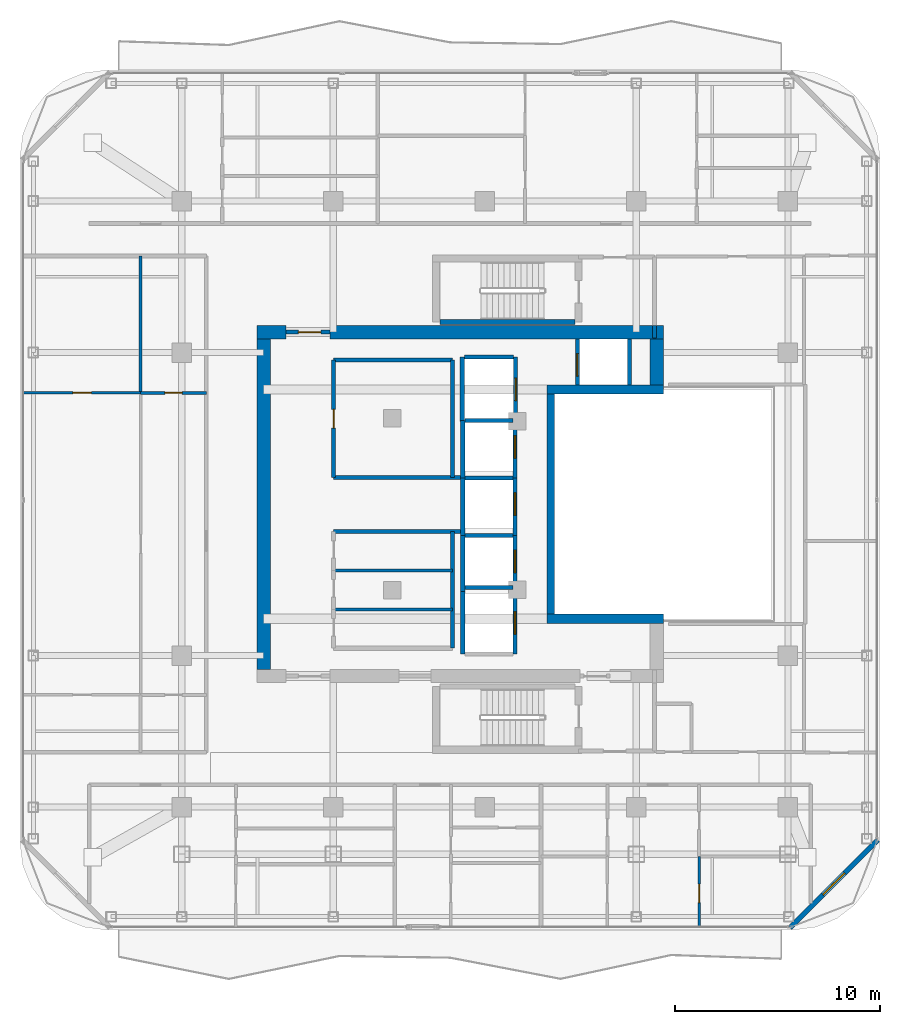
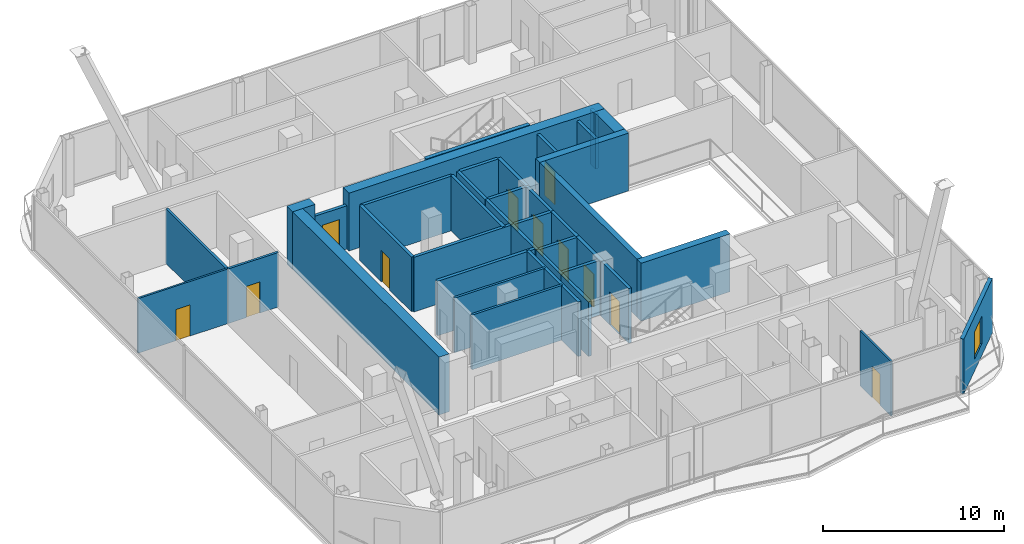
# One storey, part 19 of 24: 40 walls, 11 doors, 1 window, 12 openings.
"""IFC4 building model written with IfcOpenShell, lengths in metres."""

from ifc_helpers import new_model, si_unit, direction, frame, frame_2d, origin, place, context, subcontext, project, spatial, rectangle, extrude, material, layer, layer_set, type_object, element, fill, save


model = new_model("IFC4")

# Units and contexts
model_context = context("Model", 3, precision=1e-05, world=origin(), true_north=direction((0.0, 1.0)))
body_context = subcontext(model_context, "Body", "Model", "MODEL_VIEW")
ifc_project = project(units=[si_unit("LENGTHUNIT", "METRE"), si_unit("AREAUNIT", "SQUARE_METRE"), si_unit("VOLUMEUNIT", "CUBIC_METRE"), si_unit("PLANEANGLEUNIT", "RADIAN"), si_unit("MASSUNIT", "GRAM", prefix="KILO")], contexts=[model_context])

# Site, building, storey
site_placement = place(None, origin())
site = spatial("IfcSite", under=ifc_project, at=site_placement, CompositionType="ELEMENT")
building_placement = place(site_placement, origin())
building = spatial("IfcBuilding", under=site, at=building_placement, Name="Khorvyn Point Tower", CompositionType="ELEMENT")
storey_placement = place(building_placement, frame((0.0, 0.0, 301.5)))
storey = spatial("IfcBuildingStorey", under=building, at=storey_placement, Name="L74", CompositionType="ELEMENT", Elevation=301.5)

# Wall, opening, window
ifc_material_1 = material(Name="Pale anodised aluminium rainscreen on steel stud", Category="steel")
ifc_layer_1 = layer(ifc_material_1, 0.239990234375)
ifc_layer_set_1 = layer_set([ifc_layer_1], Name="Anodised Aluminium Insulated Corner Spandrel Wall 240")
wall_type_1 = type_object("IfcWallType", Name="Anodised Aluminium Insulated Corner Spandrel Wall 240", PredefinedType="SOLIDWALL", material=ifc_layer_set_1)
wall_1_placement = place(storey_placement, frame((19.1923828125, -16.40771484375, 0.0), z_axis=(0.0, 0.0, 1.0), x_axis=(-0.707106781187, -0.707106781187, 0.0)))
wall_1 = element("IfcWall", 1, at=wall_1_placement, inside=storey, type_object=wall_type_1, Name="L74 Rounded Corner Wall SE", PredefinedType="SOLIDWALL", context=body_context, shape_type="SweptSolid", body=[
    extrude(rectangle(XDim=6.059326171875, YDim=0.239990234375, at=frame_2d((3.02978515625, 0.0))), origin(), (0.0, 0.0, 1.0), 3.679931640625),
])
opening_1_placement = place(wall_1_placement, frame((2.27978515625, 0.0, 0.800048828125)))
opening_1 = element("IfcOpeningElement", 2, at=opening_1_placement, cuts=wall_1, Name="Opening WN-1518", PredefinedType="OPENING", context=body_context, shape_type="SweptSolid", body=[
    extrude(rectangle(XDim=1.5, YDim=1.85009765625, at=frame_2d((0.75, 0.925048828125))), frame((0.0, 0.1298828125, 0.0), z_axis=(0.0, -1.0, 0.0), x_axis=(1.0, 0.0, 0.0)), (0.0, 0.0, 1.0), 0.260009765625),
])
ifc_material_2 = material(Name="Anodised aluminium 6063-T6 and laminated Low-E glass", Category="aluminium")
window_type = type_object("IfcWindowType", Name="Anodised Aluminium Rounded-Corner Panoramic Window 1500x1850", PartitioningType="SINGLE_PANEL", PredefinedType="WINDOW", material=ifc_material_2)
window_placement = place(opening_1_placement, origin())
window = element("IfcWindow", 3, at=window_placement, inside=storey, type_object=window_type, Name="L74 Corner Panoramic Window SE", OverallHeight=1.85009765625, OverallWidth=1.5, PartitioningType="SINGLE_PANEL", PredefinedType="WINDOW", context=body_context, shape_type="SweptSolid", body=[
    extrude(rectangle(XDim=1.5, YDim=1.85009765625, at=frame_2d((0.75, 0.925048828125))), frame((0.0, 0.030029296875, 0.0), z_axis=(0.0, -1.0, 0.0), x_axis=(1.0, 0.0, 0.0)), (0.0, 0.0, 1.0), 0.06005859375),
])
fill(opening_1, window)

# Walls
ifc_material_3 = material(Name="Concrete C40/50", Category="concrete")
ifc_layer_2 = layer(ifc_material_3, 0.449951171875)
ifc_layer_set_2 = layer_set([ifc_layer_2], Name="Concrete C40/50 Core Shear Wall 450")
wall_type_2 = type_object("IfcWallType", Name="Concrete C40/50 Core Shear Wall 450", PredefinedType="SHEAR", material=ifc_layer_set_2)
for number, where, z_axis, x_axis, name in (
    (4, (3.044921875, -5.60009765625, 0.0), (0.0, 0.0, 1.0), (1.0, 0.0, 0.0), "Wall"),
    (5, (3.044921875, 5.60009765625, 0.0), (0.0, 0.0, 1.0), (1.0, 0.0, 0.0), "Wall"),
):
    element("IfcWall", number, at=place(storey_placement, frame(where, z_axis=z_axis, x_axis=x_axis)), inside=storey, type_object=wall_type_2, Name=name, PredefinedType="SHEAR", context=body_context, shape_type="SweptSolid", body=[
        extrude(rectangle(XDim=5.68017578125, YDim=0.449951171875, at=frame_2d((2.840087890625, 0.0))), origin(), (0.0, 0.0, 1.0), 3.89990234375),
    ])
ifc_layer_3 = layer(ifc_material_3, 0.64990234375)
ifc_layer_set_3 = layer_set([ifc_layer_3], Name="Concrete C40/50 Core Shear Wall 650")
wall_type_3 = type_object("IfcWallType", Name="Concrete C40/50 Core Shear Wall 650", PredefinedType="SHEAR", material=ifc_layer_set_3)
wall_2_placement = place(storey_placement, frame((-11.125, 8.39990234375, 0.0), z_axis=(0.0, 0.0, 1.0), x_axis=(1.0, 0.0, 0.0)))
element("IfcWall", 6, at=wall_2_placement, inside=storey, type_object=wall_type_3, Name="Wall", PredefinedType="SHEAR", context=body_context, shape_type="SweptSolid", body=[
    extrude(rectangle(XDim=1.425048828125, YDim=0.64990234375, at=frame_2d((0.71240234375, 0.0))), origin(), (0.0, 0.0, 1.0), 3.89990234375),
])
wall_3_placement = place(storey_placement, frame((-7.550048828125, 8.39990234375, 0.0), z_axis=(0.0, 0.0, 1.0), x_axis=(1.0, 0.0, 0.0)))
element("IfcWall", 7, at=wall_3_placement, inside=storey, type_object=wall_type_3, Name="Wall", PredefinedType="SHEAR", context=body_context, shape_type="SweptSolid", body=[
    extrude(rectangle(XDim=16.275146484375, YDim=0.64990234375, at=frame_2d((8.1376953125, 0.0))), origin(), (0.0, 0.0, 1.0), 3.89990234375),
])
wall_4_placement = place(storey_placement, frame((-10.800048828125, -8.074951171875, 0.0), z_axis=(0.0, 0.0, 1.0), x_axis=(0.0, 1.0, 0.0)))
element("IfcWall", 8, at=wall_4_placement, inside=storey, type_object=wall_type_3, Name="Wall", PredefinedType="SHEAR", context=body_context, shape_type="SweptSolid", body=[
    extrude(rectangle(XDim=16.14990234375, YDim=0.64990234375, at=frame_2d((8.074951171875, 0.0))), origin(), (0.0, 0.0, 1.0), 3.89990234375),
])
wall_5_placement = place(storey_placement, frame((8.39990234375, 5.824951171875, 0.0), z_axis=(0.0, 0.0, 1.0), x_axis=(0.0, 1.0, 0.0)))
element("IfcWall", 9, at=wall_5_placement, inside=storey, type_object=wall_type_3, Name="Wall", PredefinedType="SHEAR", context=body_context, shape_type="SweptSolid", body=[
    extrude(rectangle(XDim=2.25, YDim=0.64990234375, at=frame_2d((1.125, 0.0))), origin(), (0.0, 0.0, 1.0), 3.89990234375),
])

# Wall, opening, door
ifc_layer_4 = layer(ifc_material_3, 0.199951171875)
ifc_layer_set_4 = layer_set([ifc_layer_4], Name="Concrete C40/50 Fire-Lobby Compartment Wall 200")
wall_type_4 = type_object("IfcWallType", Name="Concrete C40/50 Fire-Lobby Compartment Wall 200", PredefinedType="SOLIDWALL", material=ifc_layer_set_4)
wall_6_placement = place(storey_placement, frame((-9.699951171875, 8.39990234375, 0.0), z_axis=(0.0, 0.0, 1.0), x_axis=(1.0, 0.0, 0.0)))
wall_6 = element("IfcWall", 10, at=wall_6_placement, inside=storey, type_object=wall_type_4, Name="Wall", PredefinedType="SOLIDWALL", context=body_context, shape_type="SweptSolid", body=[
    extrude(rectangle(XDim=2.14990234375, YDim=0.199951171875, at=frame_2d((1.074951171875, 0.0))), origin(), (0.0, 0.0, 1.0), 2.919921875),
])
opening_2_placement = place(wall_6_placement, frame((0.597900390625, 0.0, 0.0)))
opening_2 = element("IfcOpeningElement", 11, at=opening_2_placement, cuts=wall_6, Name="Opening ID-FL90", PredefinedType="OPENING", context=body_context, shape_type="SweptSolid", body=[
    extrude(rectangle(XDim=1.10009765625, YDim=2.14990234375, at=frame_2d((0.550048828125, 1.074951171875))), frame((0.0, 0.10986328125, 0.0), z_axis=(0.0, -1.0, 0.0), x_axis=(1.0, 0.0, 0.0)), (0.0, 0.0, 1.0), 0.219970703125),
])
ifc_material_4 = material(Name="Galvanised powder-coated steel", Category="steel")
door_type_1 = type_object("IfcDoorType", Name="Fire-Rated Steel Lobby and Stair Door 1100x2150", OperationType="NOTDEFINED", PredefinedType="DOOR", material=ifc_material_4)
door_1_placement = place(opening_2_placement, origin())
door_1 = element("IfcDoor", 12, at=door_1_placement, inside=storey, type_object=door_type_1, Name="Door", OperationType="SINGLE_SWING_LEFT", OverallHeight=2.14990234375, OverallWidth=1.10009765625, PredefinedType="DOOR", context=body_context, shape_type="SweptSolid", body=[
    extrude(rectangle(XDim=1.10009765625, YDim=2.14990234375, at=frame_2d((0.550048828125, 1.074951171875))), frame((0.0, 0.02490234375, 0.0), z_axis=(0.0, -1.0, 0.0), x_axis=(1.0, 0.0, 0.0)), (0.0, 0.0, 1.0), 0.050048828125),
])
fill(opening_2, door_1)

wall_7_placement = place(storey_placement, frame((-7.3798828125, 1.300048828125, 0.0), z_axis=(0.0, 0.0, 1.0), x_axis=(0.0, 1.0, 0.0)))
wall_7 = element("IfcWall", 13, at=wall_7_placement, inside=storey, type_object=wall_type_4, Name="Wall", PredefinedType="SOLIDWALL", context=body_context, shape_type="SweptSolid", body=[
    extrude(rectangle(XDim=5.739990234375, YDim=0.199951171875, at=frame_2d((2.8701171875, 0.0))), origin(), (0.0, 0.0, 1.0), 3.679931640625),
])
opening_3_placement = place(wall_7_placement, frame((2.409912109375, 0.0, 0.0)))
opening_3 = element("IfcOpeningElement", 14, at=opening_3_placement, cuts=wall_7, Name="Opening ID-RS60", PredefinedType="OPENING", context=body_context, shape_type="SweptSolid", body=[
    extrude(rectangle(XDim=0.919921875, YDim=2.10009765625, at=frame_2d((0.4599609375, 1.050048828125))), frame((0.0, 0.10986328125, 0.0), z_axis=(0.0, -1.0, 0.0), x_axis=(1.0, 0.0, 0.0)), (0.0, 0.0, 1.0), 0.219970703125),
])
door_type_2 = type_object("IfcDoorType", Name="Fire-Rated Riser and Store Steel Door 920x2100", OperationType="NOTDEFINED", PredefinedType="DOOR", material=ifc_material_4)
door_2_placement = place(opening_3_placement, origin())
door_2 = element("IfcDoor", 15, at=door_2_placement, inside=storey, type_object=door_type_2, Name="Door", OperationType="SINGLE_SWING_LEFT", OverallHeight=2.10009765625, OverallWidth=0.919921875, PredefinedType="DOOR", context=body_context, shape_type="SweptSolid", body=[
    extrude(rectangle(XDim=0.919921875, YDim=2.10009765625, at=frame_2d((0.4599609375, 1.050048828125))), frame((0.0, 0.02490234375, 0.0), z_axis=(0.0, -1.0, 0.0), x_axis=(1.0, 0.0, 0.0)), (0.0, 0.0, 1.0), 0.050048828125),
])
fill(opening_3, door_2)

# Walls
for number, where, z_axis, x_axis, name in (
    (16, (-7.3798828125, -1.340087890625, 0.0), (0.0, 0.0, 1.0), (1.0, 0.0, 0.0), "Wall"),
    (17, (-7.3798828125, 1.300048828125, 0.0), (0.0, 0.0, 1.0), (1.0, 0.0, 0.0), "Wall"),
):
    element("IfcWall", number, at=place(storey_placement, frame(where, z_axis=z_axis, x_axis=x_axis)), inside=storey, type_object=wall_type_4, Name=name, PredefinedType="SOLIDWALL", context=body_context, shape_type="SweptSolid", body=[
        extrude(rectangle(XDim=6.239990234375, YDim=0.199951171875, at=frame_2d((3.1201171875, 0.0))), origin(), (0.0, 0.0, 1.0), 3.679931640625),
    ])
wall_8_placement = place(storey_placement, frame((-1.580078125, -7.0400390625, 0.0), z_axis=(0.0, 0.0, 1.0), x_axis=(0.0, 1.0, 0.0)))
element("IfcWall", 18, at=wall_8_placement, inside=storey, type_object=wall_type_4, Name="Wall", PredefinedType="SOLIDWALL", context=body_context, shape_type="SweptSolid", body=[
    extrude(rectangle(XDim=5.699951171875, YDim=0.199951171875, at=frame_2d((2.85009765625, 0.0))), origin(), (0.0, 0.0, 1.0), 3.679931640625),
])
wall_9_placement = place(storey_placement, frame((-1.580078125, 1.300048828125, 0.0), z_axis=(0.0, 0.0, 1.0), x_axis=(0.0, 1.0, 0.0)))
element("IfcWall", 19, at=wall_9_placement, inside=storey, type_object=wall_type_4, Name="Wall", PredefinedType="SOLIDWALL", context=body_context, shape_type="SweptSolid", body=[
    extrude(rectangle(XDim=5.739990234375, YDim=0.199951171875, at=frame_2d((2.8701171875, 0.0))), origin(), (0.0, 0.0, 1.0), 3.679931640625),
])
wall_10_placement = place(storey_placement, frame((-7.3798828125, 7.0400390625, 0.0), z_axis=(0.0, 0.0, 1.0), x_axis=(1.0, 0.0, 0.0)))
element("IfcWall", 20, at=wall_10_placement, inside=storey, type_object=wall_type_4, Name="Wall", PredefinedType="SOLIDWALL", context=body_context, shape_type="SweptSolid", body=[
    extrude(rectangle(XDim=5.7998046875, YDim=0.199951171875, at=frame_2d((2.89990234375, 0.0))), origin(), (0.0, 0.0, 1.0), 3.679931640625),
])
wall_11_placement = place(storey_placement, frame((8.280029296875, 8.10009765625, 0.0), z_axis=(0.0, 0.0, 1.0), x_axis=(0.0, 1.0, 0.0)))
element("IfcWall", 21, at=wall_11_placement, inside=storey, type_object=wall_type_4, Name="Wall", PredefinedType="SOLIDWALL", context=body_context, shape_type="SweptSolid", body=[
    extrude(rectangle(XDim=0.625, YDim=0.199951171875, at=frame_2d((0.3125, 0.0))), origin(), (0.0, 0.0, 1.0), 3.679931640625),
])
ifc_layer_5 = layer(ifc_material_3, 0.25)
ifc_layer_set_5 = layer_set([ifc_layer_5], Name="Concrete C40/50 Stair Inner Cheek Structural Wall 250")
wall_type_5 = type_object("IfcWallType", Name="Concrete C40/50 Stair Inner Cheek Structural Wall 250", PredefinedType="SHEAR", material=ifc_layer_set_5)
wall_12_placement = place(storey_placement, frame((-2.199951171875, 8.89990234375, 0.0), z_axis=(0.0, 0.0, 1.0), x_axis=(1.0, 0.0, 0.0)))
element("IfcWall", 22, at=wall_12_placement, inside=storey, type_object=wall_type_5, Name="Wall", PredefinedType="SHEAR", context=body_context, shape_type="SweptSolid", body=[
    extrude(rectangle(XDim=6.599853515625, YDim=0.25, at=frame_2d((3.2998046875, 0.0))), origin(), (0.0, 0.0, 1.0), 3.89990234375),
])
ifc_layer_6 = layer(ifc_material_3, 0.35009765625)
ifc_layer_set_6 = layer_set([ifc_layer_6], Name="Concrete C40/50 Stair Shaft Structural Wall 350")
wall_type_6 = type_object("IfcWallType", Name="Concrete C40/50 Stair Shaft Structural Wall 350", PredefinedType="SHEAR", material=ifc_layer_set_6)
wall_13_placement = place(storey_placement, frame((3.219970703125, -5.375, 0.0), z_axis=(0.0, 0.0, 1.0), x_axis=(0.0, 1.0, 0.0)))
element("IfcWall", 23, at=wall_13_placement, inside=storey, type_object=wall_type_6, Name="Wall", PredefinedType="SHEAR", context=body_context, shape_type="SweptSolid", body=[
    extrude(rectangle(XDim=10.75, YDim=0.35009765625, at=frame_2d((5.375, 0.0))), origin(), (0.0, 0.0, 1.0), 3.89990234375),
])
ifc_layer_7 = layer(ifc_material_3, 0.199951171875)
ifc_layer_set_7 = layer_set([ifc_layer_7], Name="Concrete C40/50 Structural Hoistway and Stair Shaft Wall 200")
wall_type_7 = type_object("IfcWallType", Name="Concrete C40/50 Structural Hoistway and Stair Shaft Wall 200", PredefinedType="SHEAR", material=ifc_layer_set_7)
wall_14_placement = place(storey_placement, frame((-1.074951171875, -4.27490234375, 0.0), z_axis=(0.0, 0.0, 1.0), x_axis=(0.0, 1.0, 0.0)))
element("IfcWall", 24, at=wall_14_placement, inside=storey, type_object=wall_type_7, Name="Wall", PredefinedType="SHEAR", context=body_context, shape_type="SweptSolid", body=[
    extrude(rectangle(XDim=2.75, YDim=0.199951171875, at=frame_2d((1.375, 0.0))), origin(), (0.0, 0.0, 1.0), 3.679931640625),
])

# Wall, opening, door
wall_15_placement = place(storey_placement, frame((1.47509765625, -4.27490234375, 0.0), z_axis=(0.0, 0.0, 1.0), x_axis=(0.0, 1.0, 0.0)))
wall_15 = element("IfcWall", 25, at=wall_15_placement, inside=storey, type_object=wall_type_7, Name="Wall", PredefinedType="SHEAR", context=body_context, shape_type="SweptSolid", body=[
    extrude(rectangle(XDim=2.75, YDim=0.199951171875, at=frame_2d((1.375, 0.0))), origin(), (0.0, 0.0, 1.0), 3.679931640625),
])
opening_4_placement = place(wall_15_placement, frame((0.925048828125, 0.0, 0.0)))
opening_4 = element("IfcOpeningElement", 26, at=opening_4_placement, cuts=wall_15, Name="Opening LD-1122", PredefinedType="OPENING", context=body_context, shape_type="SweptSolid", body=[
    extrude(rectangle(XDim=1.10009765625, YDim=2.199951171875, at=frame_2d((0.550048828125, 1.10009765625))), frame((0.0, 0.10986328125, 0.0), z_axis=(0.0, -1.0, 0.0), x_axis=(1.0, 0.0, 0.0)), (0.0, 0.0, 1.0), 0.219970703125),
])
ifc_material_5 = material(Name="Stainless steel 1.4301", Category="steel")
door_type_3 = type_object("IfcDoorType", Name="Stainless Steel Automatic Sliding Lift Landing Door 1100x2200", OperationType="SLIDING_TO_LEFT", PredefinedType="DOOR", material=ifc_material_5)
door_3_placement = place(opening_4_placement, origin())
door_3 = element("IfcDoor", 27, at=door_3_placement, inside=storey, type_object=door_type_3, Name="L74 RH-01 Sliding Lift Landing Door", OperationType="SLIDING_TO_LEFT", OverallHeight=2.199951171875, OverallWidth=1.10009765625, PredefinedType="DOOR", context=body_context, shape_type="SweptSolid", body=[
    extrude(rectangle(XDim=1.10009765625, YDim=2.199951171875, at=frame_2d((0.550048828125, 1.10009765625))), frame((0.0, 0.02490234375, 0.0), z_axis=(0.0, -1.0, 0.0), x_axis=(1.0, 0.0, 0.0)), (0.0, 0.0, 1.0), 0.050048828125),
])
fill(opening_4, door_3)

# Walls
for number, where, z_axis, x_axis, name in (
    (28, (-0.97509765625, -4.074951171875, 0.0), (0.0, 0.0, 1.0), (1.0, 0.0, 0.0), "Wall"),
    (29, (-0.97509765625, -1.52490234375, 0.0), (0.0, 0.0, 1.0), (1.0, 0.0, 0.0), "Wall"),
):
    element("IfcWall", number, at=place(storey_placement, frame(where, z_axis=z_axis, x_axis=x_axis)), inside=storey, type_object=wall_type_7, Name=name, PredefinedType="SHEAR", context=body_context, shape_type="SweptSolid", body=[
        extrude(rectangle(XDim=2.35009765625, YDim=0.199951171875, at=frame_2d((1.175048828125, 0.0))), origin(), (0.0, 0.0, 1.0), 3.679931640625),
    ])
wall_16_placement = place(storey_placement, frame((-1.074951171875, -1.52490234375, 0.0), z_axis=(0.0, 0.0, 1.0), x_axis=(0.0, 1.0, 0.0)))
element("IfcWall", 30, at=wall_16_placement, inside=storey, type_object=wall_type_7, Name="Wall", PredefinedType="SHEAR", context=body_context, shape_type="SweptSolid", body=[
    extrude(rectangle(XDim=2.7998046875, YDim=0.199951171875, at=frame_2d((1.39990234375, 0.0))), origin(), (0.0, 0.0, 1.0), 3.679931640625),
])

# Wall, opening, door
wall_17_placement = place(storey_placement, frame((1.47509765625, -1.52490234375, 0.0), z_axis=(0.0, 0.0, 1.0), x_axis=(0.0, 1.0, 0.0)))
wall_17 = element("IfcWall", 31, at=wall_17_placement, inside=storey, type_object=wall_type_7, Name="Wall", PredefinedType="SHEAR", context=body_context, shape_type="SweptSolid", body=[
    extrude(rectangle(XDim=2.7998046875, YDim=0.199951171875, at=frame_2d((1.39990234375, 0.0))), origin(), (0.0, 0.0, 1.0), 3.679931640625),
])
opening_5_placement = place(wall_17_placement, frame((0.97509765625, 0.0, 0.0)))
opening_5 = element("IfcOpeningElement", 32, at=opening_5_placement, cuts=wall_17, Name="Opening LD-1122", PredefinedType="OPENING", context=body_context, shape_type="SweptSolid", body=[
    extrude(rectangle(XDim=1.10009765625, YDim=2.199951171875, at=frame_2d((0.550048828125, 1.10009765625))), frame((0.0, 0.10986328125, 0.0), z_axis=(0.0, -1.0, 0.0), x_axis=(1.0, 0.0, 0.0)), (0.0, 0.0, 1.0), 0.219970703125),
])
door_4_placement = place(opening_5_placement, origin())
door_4 = element("IfcDoor", 33, at=door_4_placement, inside=storey, type_object=door_type_3, Name="L74 RH-02 Sliding Lift Landing Door", OperationType="SLIDING_TO_LEFT", OverallHeight=2.199951171875, OverallWidth=1.10009765625, PredefinedType="DOOR", context=body_context, shape_type="SweptSolid", body=[
    extrude(rectangle(XDim=1.10009765625, YDim=2.199951171875, at=frame_2d((0.550048828125, 1.10009765625))), frame((0.0, 0.02490234375, 0.0), z_axis=(0.0, -1.0, 0.0), x_axis=(1.0, 0.0, 0.0)), (0.0, 0.0, 1.0), 0.050048828125),
])
fill(opening_5, door_4)

# Walls
wall_18_placement = place(storey_placement, frame((-0.97509765625, 1.27490234375, 0.0), z_axis=(0.0, 0.0, 1.0), x_axis=(1.0, 0.0, 0.0)))
element("IfcWall", 34, at=wall_18_placement, inside=storey, type_object=wall_type_7, Name="Wall", PredefinedType="SHEAR", context=body_context, shape_type="SweptSolid", body=[
    extrude(rectangle(XDim=2.35009765625, YDim=0.199951171875, at=frame_2d((1.175048828125, 0.0))), origin(), (0.0, 0.0, 1.0), 3.679931640625),
])
wall_19_placement = place(storey_placement, frame((-1.074951171875, 1.27490234375, 0.0), z_axis=(0.0, 0.0, 1.0), x_axis=(0.0, 1.0, 0.0)))
element("IfcWall", 35, at=wall_19_placement, inside=storey, type_object=wall_type_7, Name="Wall", PredefinedType="SHEAR", context=body_context, shape_type="SweptSolid", body=[
    extrude(rectangle(XDim=2.800048828125, YDim=0.199951171875, at=frame_2d((1.39990234375, 0.0))), origin(), (0.0, 0.0, 1.0), 3.679931640625),
])

# Wall, opening, door
wall_20_placement = place(storey_placement, frame((1.47509765625, 1.27490234375, 0.0), z_axis=(0.0, 0.0, 1.0), x_axis=(0.0, 1.0, 0.0)))
wall_20 = element("IfcWall", 36, at=wall_20_placement, inside=storey, type_object=wall_type_7, Name="Wall", PredefinedType="SHEAR", context=body_context, shape_type="SweptSolid", body=[
    extrude(rectangle(XDim=2.800048828125, YDim=0.199951171875, at=frame_2d((1.39990234375, 0.0))), origin(), (0.0, 0.0, 1.0), 3.679931640625),
])
opening_6_placement = place(wall_20_placement, frame((0.97509765625, 0.0, 0.0)))
opening_6 = element("IfcOpeningElement", 37, at=opening_6_placement, cuts=wall_20, Name="Opening LD-1122", PredefinedType="OPENING", context=body_context, shape_type="SweptSolid", body=[
    extrude(rectangle(XDim=1.10009765625, YDim=2.199951171875, at=frame_2d((0.550048828125, 1.10009765625))), frame((0.0, 0.10986328125, 0.0), z_axis=(0.0, -1.0, 0.0), x_axis=(1.0, 0.0, 0.0)), (0.0, 0.0, 1.0), 0.219970703125),
])
door_5_placement = place(opening_6_placement, origin())
door_5 = element("IfcDoor", 38, at=door_5_placement, inside=storey, type_object=door_type_3, Name="L74 RH-03 Sliding Lift Landing Door", OperationType="SLIDING_TO_LEFT", OverallHeight=2.199951171875, OverallWidth=1.10009765625, PredefinedType="DOOR", context=body_context, shape_type="SweptSolid", body=[
    extrude(rectangle(XDim=1.10009765625, YDim=2.199951171875, at=frame_2d((0.550048828125, 1.10009765625))), frame((0.0, 0.02490234375, 0.0), z_axis=(0.0, -1.0, 0.0), x_axis=(1.0, 0.0, 0.0)), (0.0, 0.0, 1.0), 0.050048828125),
])
fill(opening_6, door_5)

# Walls
wall_21_placement = place(storey_placement, frame((-0.97509765625, 4.074951171875, 0.0), z_axis=(0.0, 0.0, 1.0), x_axis=(1.0, 0.0, 0.0)))
element("IfcWall", 39, at=wall_21_placement, inside=storey, type_object=wall_type_7, Name="Wall", PredefinedType="SHEAR", context=body_context, shape_type="SweptSolid", body=[
    extrude(rectangle(XDim=2.35009765625, YDim=0.199951171875, at=frame_2d((1.175048828125, 0.0))), origin(), (0.0, 0.0, 1.0), 3.679931640625),
])
wall_22_placement = place(storey_placement, frame((-1.10009765625, 4.02490234375, 0.0), z_axis=(0.0, 0.0, 1.0), x_axis=(0.0, 1.0, 0.0)))
element("IfcWall", 40, at=wall_22_placement, inside=storey, type_object=wall_type_7, Name="Wall", PredefinedType="SHEAR", context=body_context, shape_type="SweptSolid", body=[
    extrude(rectangle(XDim=3.150146484375, YDim=0.199951171875, at=frame_2d((1.5751953125, 0.0))), origin(), (0.0, 0.0, 1.0), 3.679931640625),
])

# Wall, opening, door
wall_23_placement = place(storey_placement, frame((1.5, 4.02490234375, 0.0), z_axis=(0.0, 0.0, 1.0), x_axis=(0.0, 1.0, 0.0)))
wall_23 = element("IfcWall", 41, at=wall_23_placement, inside=storey, type_object=wall_type_7, Name="Wall", PredefinedType="SHEAR", context=body_context, shape_type="SweptSolid", body=[
    extrude(rectangle(XDim=3.150146484375, YDim=0.199951171875, at=frame_2d((1.5751953125, 0.0))), origin(), (0.0, 0.0, 1.0), 3.679931640625),
])
opening_7_placement = place(wall_23_placement, frame((1.02490234375, 0.0, 0.0)))
opening_7 = element("IfcOpeningElement", 42, at=opening_7_placement, cuts=wall_23, Name="Opening LD-1122", PredefinedType="OPENING", context=body_context, shape_type="SweptSolid", body=[
    extrude(rectangle(XDim=1.10009765625, YDim=2.199951171875, at=frame_2d((0.550048828125, 1.10009765625))), frame((0.0, 0.10986328125, 0.0), z_axis=(0.0, -1.0, 0.0), x_axis=(1.0, 0.0, 0.0)), (0.0, 0.0, 1.0), 0.219970703125),
])
door_6_placement = place(opening_7_placement, origin())
door_6 = element("IfcDoor", 43, at=door_6_placement, inside=storey, type_object=door_type_3, Name="L74 SV-01 Sliding Lift Landing Door", OperationType="SLIDING_TO_LEFT", OverallHeight=2.199951171875, OverallWidth=1.10009765625, PredefinedType="DOOR", context=body_context, shape_type="SweptSolid", body=[
    extrude(rectangle(XDim=1.10009765625, YDim=2.199951171875, at=frame_2d((0.550048828125, 1.10009765625))), frame((0.0, 0.02490234375, 0.0), z_axis=(0.0, -1.0, 0.0), x_axis=(1.0, 0.0, 0.0)), (0.0, 0.0, 1.0), 0.050048828125),
])
fill(opening_7, door_6)

# Walls
wall_24_placement = place(storey_placement, frame((-1.0, 7.175048828125, 0.0), z_axis=(0.0, 0.0, 1.0), x_axis=(1.0, 0.0, 0.0)))
element("IfcWall", 44, at=wall_24_placement, inside=storey, type_object=wall_type_7, Name="Wall", PredefinedType="SHEAR", context=body_context, shape_type="SweptSolid", body=[
    extrude(rectangle(XDim=2.39990234375, YDim=0.199951171875, at=frame_2d((1.199951171875, 0.0))), origin(), (0.0, 0.0, 1.0), 3.679931640625),
])
wall_25_placement = place(storey_placement, frame((-1.074951171875, -7.324951171875, 0.0), z_axis=(0.0, 0.0, 1.0), x_axis=(0.0, 1.0, 0.0)))
element("IfcWall", 45, at=wall_25_placement, inside=storey, type_object=wall_type_7, Name="Wall", PredefinedType="SHEAR", context=body_context, shape_type="SweptSolid", body=[
    extrude(rectangle(XDim=3.050048828125, YDim=0.199951171875, at=frame_2d((1.52490234375, 0.0))), origin(), (0.0, 0.0, 1.0), 3.679931640625),
])

# Wall, opening, door
wall_26_placement = place(storey_placement, frame((1.47509765625, -7.324951171875, 0.0), z_axis=(0.0, 0.0, 1.0), x_axis=(0.0, 1.0, 0.0)))
wall_26 = element("IfcWall", 46, at=wall_26_placement, inside=storey, type_object=wall_type_7, Name="Wall", PredefinedType="SHEAR", context=body_context, shape_type="SweptSolid", body=[
    extrude(rectangle(XDim=3.050048828125, YDim=0.199951171875, at=frame_2d((1.52490234375, 0.0))), origin(), (0.0, 0.0, 1.0), 3.679931640625),
])
opening_8_placement = place(wall_26_placement, frame((0.97509765625, 0.0, 0.0)))
opening_8 = element("IfcOpeningElement", 47, at=opening_8_placement, cuts=wall_26, Name="Opening LD-1122", PredefinedType="OPENING", context=body_context, shape_type="SweptSolid", body=[
    extrude(rectangle(XDim=1.10009765625, YDim=2.199951171875, at=frame_2d((0.550048828125, 1.10009765625))), frame((0.0, 0.10986328125, 0.0), z_axis=(0.0, -1.0, 0.0), x_axis=(1.0, 0.0, 0.0)), (0.0, 0.0, 1.0), 0.219970703125),
])
door_7_placement = place(opening_8_placement, origin())
door_7 = element("IfcDoor", 48, at=door_7_placement, inside=storey, type_object=door_type_3, Name="L74 FF-01 Sliding Lift Landing Door", OperationType="SLIDING_TO_LEFT", OverallHeight=2.199951171875, OverallWidth=1.10009765625, PredefinedType="DOOR", context=body_context, shape_type="SweptSolid", body=[
    extrude(rectangle(XDim=1.10009765625, YDim=2.199951171875, at=frame_2d((0.550048828125, 1.10009765625))), frame((0.0, 0.02490234375, 0.0), z_axis=(0.0, -1.0, 0.0), x_axis=(1.0, 0.0, 0.0)), (0.0, 0.0, 1.0), 0.050048828125),
])
fill(opening_8, door_7)

wall_27_placement = place(storey_placement, frame((4.52490234375, 5.824951171875, 0.0), z_axis=(0.0, 0.0, 1.0), x_axis=(0.0, 1.0, 0.0)))
wall_27 = element("IfcWall", 49, at=wall_27_placement, inside=storey, type_object=wall_type_7, Name="Wall", PredefinedType="SHEAR", context=body_context, shape_type="SweptSolid", body=[
    extrude(rectangle(XDim=2.25, YDim=0.199951171875, at=frame_2d((1.125, 0.0))), origin(), (0.0, 0.0, 1.0), 3.679931640625),
])
opening_9_placement = place(wall_27_placement, frame((0.425048828125, 0.0, 0.0)))
opening_9 = element("IfcOpeningElement", 50, at=opening_9_placement, cuts=wall_27, Name="Opening LD-1122", PredefinedType="OPENING", context=body_context, shape_type="SweptSolid", body=[
    extrude(rectangle(XDim=1.10009765625, YDim=2.199951171875, at=frame_2d((0.550048828125, 1.10009765625))), frame((0.0, 0.10986328125, 0.0), z_axis=(0.0, -1.0, 0.0), x_axis=(1.0, 0.0, 0.0)), (0.0, 0.0, 1.0), 0.219970703125),
])
door_8_placement = place(opening_9_placement, origin())
door_8 = element("IfcDoor", 51, at=door_8_placement, inside=storey, type_object=door_type_3, Name="L74 FF-02 Sliding Lift Landing Door", OperationType="SLIDING_TO_LEFT", OverallHeight=2.199951171875, OverallWidth=1.10009765625, PredefinedType="DOOR", context=body_context, shape_type="SweptSolid", body=[
    extrude(rectangle(XDim=1.10009765625, YDim=2.199951171875, at=frame_2d((0.550048828125, 1.10009765625))), frame((0.0, 0.02490234375, 0.0), z_axis=(0.0, -1.0, 0.0), x_axis=(1.0, 0.0, 0.0)), (0.0, 0.0, 1.0), 0.050048828125),
])
fill(opening_9, door_8)

# Wall
wall_28_placement = place(storey_placement, frame((7.074951171875, 5.824951171875, 0.0), z_axis=(0.0, 0.0, 1.0), x_axis=(0.0, 1.0, 0.0)))
element("IfcWall", 52, at=wall_28_placement, inside=storey, type_object=wall_type_7, Name="Wall", PredefinedType="SHEAR", context=body_context, shape_type="SweptSolid", body=[
    extrude(rectangle(XDim=2.25, YDim=0.199951171875, at=frame_2d((1.125, 0.0))), origin(), (0.0, 0.0, 1.0), 3.679931640625),
])

# Wall, opening, door
ifc_material_6 = material(Name="Gypsum plasterboard on steel stud", Category="steel")
ifc_layer_8 = layer(ifc_material_6, 0.1201171875)
ifc_layer_set_8 = layer_set([ifc_layer_8], Name="Gypsum Acoustic Stud Room Partition Wall 120")
wall_type_8 = type_object("IfcWallType", Name="Gypsum Acoustic Stud Room Partition Wall 120", PredefinedType="PARTITIONING", material=ifc_layer_set_8)
wall_29_placement = place(storey_placement, frame((10.469970703125, -20.6298828125, 0.0), z_axis=(0.0, 0.0, 1.0), x_axis=(0.0, 1.0, 0.0)))
wall_29 = element("IfcWall", 53, at=wall_29_placement, inside=storey, type_object=wall_type_8, Name="Wall", PredefinedType="PARTITIONING", context=body_context, shape_type="SweptSolid", body=[
    extrude(rectangle(XDim=3.410888671875, YDim=0.1201171875, at=frame_2d((1.70556640625, 0.0))), origin(), (0.0, 0.0, 1.0), 3.679931640625),
])
opening_10_placement = place(wall_29_placement, frame((1.171142578125, 0.0, 0.0)))
opening_10 = element("IfcOpeningElement", 54, at=opening_10_placement, cuts=wall_29, Name="Opening ID-RM90", PredefinedType="OPENING", context=body_context, shape_type="SweptSolid", body=[
    extrude(rectangle(XDim=0.89990234375, YDim=2.10009765625, at=frame_2d((0.449951171875, 1.050048828125))), frame((0.0, 0.070068359375, 0.0), z_axis=(0.0, -1.0, 0.0), x_axis=(1.0, 0.0, 0.0)), (0.0, 0.0, 1.0), 0.14013671875),
])
ifc_material_7 = material(Name="Engineered oak veneer timber", Category="wood")
door_type_4 = type_object("IfcDoorType", Name="Flush Engineered Timber Room Door 900x2100", OperationType="NOTDEFINED", PredefinedType="DOOR", material=ifc_material_7)
door_9_placement = place(opening_10_placement, origin())
door_9 = element("IfcDoor", 55, at=door_9_placement, inside=storey, type_object=door_type_4, Name="Door", OperationType="SINGLE_SWING_LEFT", OverallHeight=2.10009765625, OverallWidth=0.89990234375, PredefinedType="DOOR", context=body_context, shape_type="SweptSolid", body=[
    extrude(rectangle(XDim=0.89990234375, YDim=2.10009765625, at=frame_2d((0.449951171875, 1.050048828125))), frame((0.0, 0.02490234375, 0.0), z_axis=(0.0, -1.0, 0.0), x_axis=(1.0, 0.0, 0.0)), (0.0, 0.0, 1.0), 0.050048828125),
])
fill(opening_10, door_9)

wall_30_placement = place(storey_placement, frame((-22.530029296875, 5.43603515625, 0.0), z_axis=(0.0, 0.0, 1.0), x_axis=(1.0, 0.0, 0.0)))
wall_30 = element("IfcWall", 56, at=wall_30_placement, inside=storey, type_object=wall_type_8, Name="Wall", PredefinedType="PARTITIONING", context=body_context, shape_type="SweptSolid", body=[
    extrude(rectangle(XDim=5.720947265625, YDim=0.1201171875, at=frame_2d((2.8603515625, 0.0))), origin(), (0.0, 0.0, 1.0), 3.679931640625),
])
opening_11_placement = place(wall_30_placement, frame((2.410400390625, 0.0, 0.0)))
opening_11 = element("IfcOpeningElement", 57, at=opening_11_placement, cuts=wall_30, Name="Opening ID-RM90", PredefinedType="OPENING", context=body_context, shape_type="SweptSolid", body=[
    extrude(rectangle(XDim=0.89990234375, YDim=2.10009765625, at=frame_2d((0.449951171875, 1.050048828125))), frame((0.0, 0.070068359375, 0.0), z_axis=(0.0, -1.0, 0.0), x_axis=(1.0, 0.0, 0.0)), (0.0, 0.0, 1.0), 0.14013671875),
])
door_10_placement = place(opening_11_placement, origin())
door_10 = element("IfcDoor", 58, at=door_10_placement, inside=storey, type_object=door_type_4, Name="Door", OperationType="SINGLE_SWING_LEFT", OverallHeight=2.10009765625, OverallWidth=0.89990234375, PredefinedType="DOOR", context=body_context, shape_type="SweptSolid", body=[
    extrude(rectangle(XDim=0.89990234375, YDim=2.10009765625, at=frame_2d((0.449951171875, 1.050048828125))), frame((0.0, 0.02490234375, 0.0), z_axis=(0.0, -1.0, 0.0), x_axis=(1.0, 0.0, 0.0)), (0.0, 0.0, 1.0), 0.050048828125),
])
fill(opening_11, door_10)

ifc_material_8 = material(Name="Moisture-resistant gypsum and cement board", Category="gypsum")
ifc_layer_9 = layer(ifc_material_8, 0.14990234375)
ifc_layer_set_9 = layer_set([ifc_layer_9], Name="Moisture-Resistant Wet-Room Partition Wall 150")
wall_type_9 = type_object("IfcWallType", Name="Moisture-Resistant Wet-Room Partition Wall 150", PredefinedType="PARTITIONING", material=ifc_layer_set_9)
wall_31_placement = place(storey_placement, frame((-16.80908203125, 5.43603515625, 0.0), z_axis=(0.0, 0.0, 1.0), x_axis=(1.0, 0.0, 0.0)))
wall_31 = element("IfcWall", 59, at=wall_31_placement, inside=storey, type_object=wall_type_9, Name="Wall", PredefinedType="PARTITIONING", context=body_context, shape_type="SweptSolid", body=[
    extrude(rectangle(XDim=3.208984375, YDim=0.14990234375, at=frame_2d((1.6044921875, 0.0))), origin(), (0.0, 0.0, 1.0), 3.679931640625),
])
opening_12_placement = place(wall_31_placement, frame((1.179443359375, 0.0, 0.0)))
opening_12 = element("IfcOpeningElement", 60, at=opening_12_placement, cuts=wall_31, Name="Opening ID-WC85", PredefinedType="OPENING", context=body_context, shape_type="SweptSolid", body=[
    extrude(rectangle(XDim=0.85009765625, YDim=2.10009765625, at=frame_2d((0.425048828125, 1.050048828125))), frame((0.0, 0.0849609375, 0.0), z_axis=(0.0, -1.0, 0.0), x_axis=(1.0, 0.0, 0.0)), (0.0, 0.0, 1.0), 0.169921875),
])
ifc_material_9 = material(Name="High-pressure laminate on moisture-resistant core", Category="wood")
door_type_5 = type_object("IfcDoorType", Name="Moisture-Resistant Accessible Washroom Door 850x2100", OperationType="NOTDEFINED", PredefinedType="DOOR", material=ifc_material_9)
door_11_placement = place(opening_12_placement, origin())
door_11 = element("IfcDoor", 61, at=door_11_placement, inside=storey, type_object=door_type_5, Name="Door", OperationType="SINGLE_SWING_RIGHT", OverallHeight=2.10009765625, OverallWidth=0.85009765625, PredefinedType="DOOR", context=body_context, shape_type="SweptSolid", body=[
    extrude(rectangle(XDim=0.85009765625, YDim=2.10009765625, at=frame_2d((0.425048828125, 1.050048828125))), frame((0.0, 0.02490234375, 0.0), z_axis=(0.0, -1.0, 0.0), x_axis=(1.0, 0.0, 0.0)), (0.0, 0.0, 1.0), 0.050048828125),
])
fill(opening_12, door_11)

# Walls
for number, where, z_axis, x_axis, name in (
    (62, (-7.3798828125, -5.139892578125, 0.0), (0.0, 0.0, 1.0), (1.0, 0.0, 0.0), "Wall"),
    (63, (-7.3798828125, -3.239990234375, 0.0), (0.0, 0.0, 1.0), (1.0, 0.0, 0.0), "Wall"),
):
    element("IfcWall", number, at=place(storey_placement, frame(where, z_axis=z_axis, x_axis=x_axis)), inside=storey, type_object=wall_type_9, Name=name, PredefinedType="PARTITIONING", context=body_context, shape_type="SweptSolid", body=[
        extrude(rectangle(XDim=5.7998046875, YDim=0.14990234375, at=frame_2d((2.89990234375, 0.0))), origin(), (0.0, 0.0, 1.0), 3.679931640625),
    ])
wall_32_placement = place(storey_placement, frame((-16.80908203125, 5.43603515625, 0.0), z_axis=(0.0, 0.0, 1.0), x_axis=(0.0, 1.0, 0.0)))
element("IfcWall", 64, at=wall_32_placement, inside=storey, type_object=wall_type_9, Name="Wall", PredefinedType="PARTITIONING", context=body_context, shape_type="SweptSolid", body=[
    extrude(rectangle(XDim=6.68408203125, YDim=0.14990234375, at=frame_2d((3.342041015625, 0.0))), origin(), (0.0, 0.0, 1.0), 3.679931640625),
])

save(model, "model.ifc")
